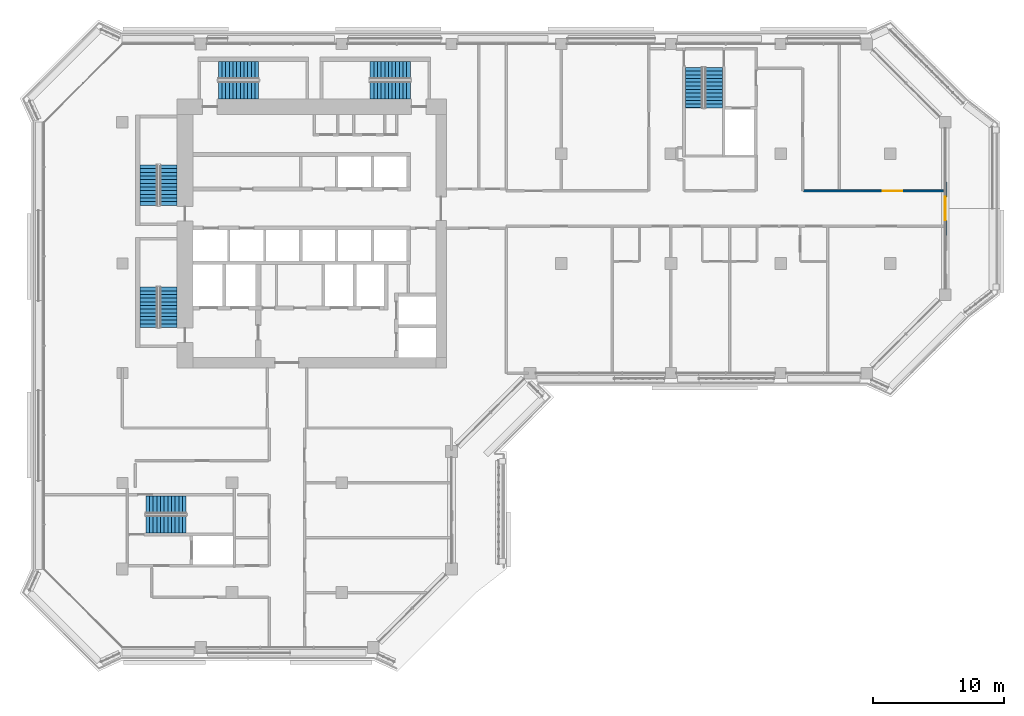
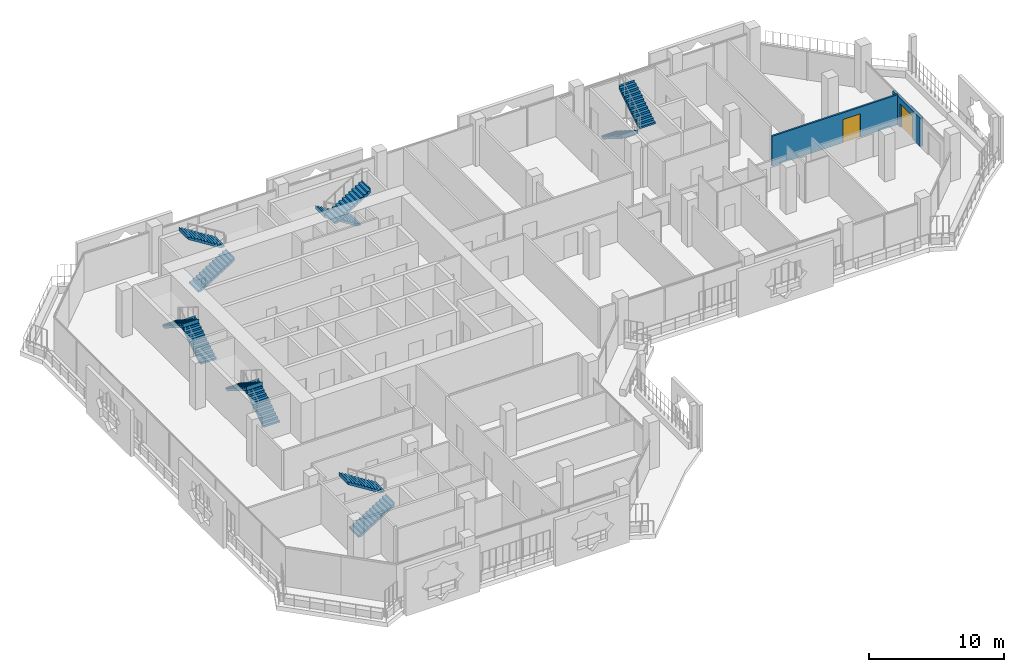
# One storey, part 14 of 22: 12 stair flights, 2 doors, 2 walls, 2 openings, 6 elements without a shape of their own.
"""IFC4 building model written with IfcOpenShell, lengths in metres."""

from ifc_helpers import new_model, si_unit, direction, frame, frame_2d, origin, place, context, subcontext, project, spatial, polyline, rectangle, outline, extrude, material, layer, layer_set, type_object, element, fill, aggregate, save


model = new_model("IFC4")

# Units and contexts
model_context = context("Model", 3, precision=1e-05, world=origin(), true_north=direction((0.0, 1.0)))
body_context = subcontext(model_context, "Body", "Model", "MODEL_VIEW")
ifc_project = project(units=[si_unit("LENGTHUNIT", "METRE"), si_unit("AREAUNIT", "SQUARE_METRE"), si_unit("VOLUMEUNIT", "CUBIC_METRE"), si_unit("PLANEANGLEUNIT", "RADIAN"), si_unit("MASSUNIT", "GRAM", prefix="KILO")], contexts=[model_context])

# Site, building, storey
site_placement = place(None, origin())
site = spatial("IfcSite", under=ifc_project, at=site_placement, CompositionType="ELEMENT")
building_placement = place(site_placement, origin())
building = spatial("IfcBuilding", under=site, at=building_placement, Name="Kawkab Arch Medical Tower", CompositionType="ELEMENT")
storey_placement = place(building_placement, frame((0.0, 0.0, 255.800048828125)))
storey = spatial("IfcBuildingStorey", under=building, at=storey_placement, Name="L59", CompositionType="ELEMENT", Elevation=255.800048828125)

# Wall, opening, door
ifc_material_1 = material(Name="Bronze clad insulated wall panel")
ifc_layer_1 = layer(ifc_material_1, 0.25)
ifc_layer_set_1 = layer_set([ifc_layer_1], Name="Bronze clad insulated wall panel")
wall_type_1 = type_object("IfcWallType", Name="External wall bay 250", PredefinedType="SOLIDWALL", material=ifc_layer_set_1)
wall_1_placement = place(storey_placement, frame((63.0, -14.64990234375, 0.0), z_axis=(0.0, 0.0, 1.0), x_axis=(0.0, 1.0, 0.0)))
wall_1 = element("IfcWall", 1, at=wall_1_placement, inside=storey, type_object=wall_type_1, Name="External wall bay L59.R09.1.2", PredefinedType="SOLIDWALL", context=body_context, shape_type="SweptSolid", body=[
    extrude(rectangle(XDim=4.099853515625, YDim=0.25, at=frame_2d((2.0498046875, 0.0))), origin(), (0.0, 0.0, 1.0), 2.579833984375),
])
opening_1_placement = place(wall_1_placement, frame((1.14990234375, 0.0, 0.0)))
opening_1 = element("IfcOpeningElement", 2, at=opening_1_placement, cuts=wall_1, Name="Opening W54-702", PredefinedType="OPENING", context=body_context, shape_type="SweptSolid", body=[
    extrude(rectangle(XDim=1.800048828125, YDim=2.10009765625, at=frame_2d((0.89990234375, 1.050048828125))), frame((0.0, 0.135009765625, 0.0), z_axis=(0.0, -1.0, 0.0), x_axis=(1.0, 0.0, 0.0)), (0.0, 0.0, 1.0), 0.27001953125),
])
ifc_material_2 = material(Name="Bronze anodised aluminium door with tinted glass", Category="aluminium")
door_type_1 = type_object("IfcDoorType", Name="Double external door 1800 x 2100", OperationType="DOUBLE_DOOR_SINGLE_SWING", PredefinedType="DOOR", material=ifc_material_2)
door_1_placement = place(opening_1_placement, origin())
door_1 = element("IfcDoor", 3, at=door_1_placement, inside=storey, type_object=door_type_1, Name="External door L59.R09.1.2", OperationType="DOUBLE_DOOR_SINGLE_SWING", OverallHeight=2.10009765625, OverallWidth=1.800048828125, PredefinedType="DOOR", context=body_context, shape_type="SweptSolid", body=[
    extrude(rectangle(XDim=1.800048828125, YDim=2.10009765625, at=frame_2d((0.89990234375, 1.050048828125))), frame((0.0, 0.02490234375, 0.0), z_axis=(0.0, -1.0, 0.0), x_axis=(1.0, 0.0, 0.0)), (0.0, 0.0, 1.0), 0.050048828125),
])
fill(opening_1, door_1)

ifc_material_3 = material(Name="Gypsum board partition on steel studs, mineral wool", Category="steel")
ifc_layer_2 = layer(ifc_material_3, 0.14990234375)
ifc_layer_set_2 = layer_set([ifc_layer_2], Name="Gypsum board partition on steel studs, mineral wool")
wall_type_2 = type_object("IfcWallType", Name="Partition 150", PredefinedType="PARTITIONING", material=ifc_layer_set_2)
wall_2_placement = place(storey_placement, frame((52.16796875, -11.25, 0.0), z_axis=(0.0, 0.0, 1.0), x_axis=(1.0, 0.0, 0.0)))
wall_2 = element("IfcWall", 4, at=wall_2_placement, inside=storey, type_object=wall_type_2, Name="Partition 150 w024", PredefinedType="PARTITIONING", context=body_context, shape_type="SweptSolid", body=[
    extrude(rectangle(XDim=10.751953125, YDim=0.14990234375, at=frame_2d((5.3759765625, 0.0))), origin(), (0.0, 0.0, 1.0), 2.699951171875),
])
opening_2_placement = place(wall_2_placement, frame((6.031982421875, 0.0, 0.0)))
opening_2 = element("IfcOpeningElement", 5, at=opening_2_placement, cuts=wall_2, Name="Opening W54-002", PredefinedType="OPENING", context=body_context, shape_type="SweptSolid", body=[
    extrude(rectangle(XDim=1.5, YDim=2.10009765625, at=frame_2d((0.75, 1.050048828125))), frame((0.0, 0.0849609375, 0.0), z_axis=(0.0, -1.0, 0.0), x_axis=(1.0, 0.0, 0.0)), (0.0, 0.0, 1.0), 0.169921875),
])
ifc_material_4 = material(Name="Hollow metal door leaf")
door_type_2 = type_object("IfcDoorType", Name="Double door 1500x2100 FD30S", OperationType="NOTDEFINED", PredefinedType="DOOR", material=ifc_material_4)
door_2_placement = place(opening_2_placement, origin())
door_2 = element("IfcDoor", 6, at=door_2_placement, inside=storey, type_object=door_type_2, Name="Door W54-002", OperationType="DOUBLE_DOOR_SINGLE_SWING", OverallHeight=2.10009765625, OverallWidth=1.5, PredefinedType="DOOR", context=body_context, shape_type="SweptSolid", body=[
    extrude(rectangle(XDim=1.5, YDim=2.10009765625, at=frame_2d((0.75, 1.050048828125))), frame((0.0, 0.02490234375, 0.0), z_axis=(0.0, -1.0, 0.0), x_axis=(1.0, 0.0, 0.0)), (0.0, 0.0, 1.0), 0.050048828125),
])
fill(opening_2, door_2)

# Stair, stair flights
ifc_material_5 = material(Name="Concrete C40/50", Category="concrete")
stair_type = type_object("IfcStairType", Name="Exit stair 1350", PredefinedType="HALF_TURN_STAIR", material=ifc_material_5)
placement = place(storey_placement, origin())
stair_1 = element("IfcStair", 7, at=placement, inside=storey, type_object=stair_type, Name="L59 Exit stair ST1", PredefinedType="HALF_TURN_STAIR")
ifc_material_6 = material(Name="Concrete C40/50", Category="concrete")
stair_flight_type = type_object("IfcStairFlightType", Name="Exit stair flight 1350", PredefinedType="STRAIGHT", material=ifc_material_6)
stair_flight_1_placement = place(storey_placement, frame((3.52490234375, -12.35009765625, 0.0), z_axis=(0.0, 0.0, 1.0), x_axis=(0.0, 1.0, 0.0)))
stair_flight_1 = element("IfcStairFlight", 8, at=stair_flight_1_placement, type_object=stair_flight_type, Name="ST1 flight 1", NumberOfRisers=12, NumberOfTreads=11, PredefinedType="STRAIGHT", RiserHeight=0.175, TreadLength=0.28, context=body_context, shape_type="SweptSolid", body=[
    extrude(outline(polyline([(-0.0029296875, 0.0), (-0.0029296875, 0.175048828125), (0.0, 0.175048828125), (0.280029296875, 0.175048828125), (0.280029296875, 0.35009765625), (0.56005859375, 0.35009765625), (0.56005859375, 0.52490234375), (0.840087890625, 0.52490234375), (0.840087890625, 0.699951171875), (1.1201171875, 0.699951171875), (1.1201171875, 0.875), (1.39990234375, 0.875), (1.39990234375, 1.050048828125), (1.679931640625, 1.050048828125), (1.679931640625, 1.22509765625), (1.9599609375, 1.22509765625), (1.9599609375, 1.39990234375), (2.239990234375, 1.39990234375), (2.239990234375, 1.574951171875), (2.52001953125, 1.574951171875), (2.52001953125, 1.75), (2.800048828125, 1.75), (2.800048828125, 1.925048828125), (3.080078125, 1.925048828125), (3.080078125, 2.10009765625), (3.0830078125, 2.10009765625), (3.0830078125, 1.748291015625), (3.080078125, 1.748291015625), (0.28271484375, 0.0), (-0.0029296875, 0.0)])), frame((0.0, 0.675048828125, 0.0), z_axis=(0.0, -1.0, 0.0), x_axis=(1.0, 0.0, 0.0)), (0.0, 0.0, 1.0), 1.35009765625),
])
stair_flight_2_placement = place(storey_placement, frame((2.02490234375, -9.27001953125, 2.099853515625), z_axis=(0.0, 0.0, 1.0), x_axis=(0.0, -1.0, 0.0)))
stair_flight_2 = element("IfcStairFlight", 9, at=stair_flight_2_placement, type_object=stair_flight_type, Name="ST1 flight 2", NumberOfRisers=12, NumberOfTreads=11, PredefinedType="STRAIGHT", RiserHeight=0.175, TreadLength=0.28, context=body_context, shape_type="SweptSolid", body=[
    extrude(outline(polyline([(-0.0029296875, 0.0), (-0.0029296875, 0.175048828125), (0.0, 0.175048828125), (0.280029296875, 0.175048828125), (0.280029296875, 0.35009765625), (0.56005859375, 0.35009765625), (0.56005859375, 0.52490234375), (0.840087890625, 0.52490234375), (0.840087890625, 0.699951171875), (1.1201171875, 0.699951171875), (1.1201171875, 0.875), (1.39990234375, 0.875), (1.39990234375, 1.050048828125), (1.679931640625, 1.050048828125), (1.679931640625, 1.22509765625), (1.9599609375, 1.22509765625), (1.9599609375, 1.39990234375), (2.239990234375, 1.39990234375), (2.239990234375, 1.574951171875), (2.52001953125, 1.574951171875), (2.52001953125, 1.75), (2.800048828125, 1.75), (2.800048828125, 1.925048828125), (3.080078125, 1.925048828125), (3.080078125, 2.10009765625), (3.0830078125, 2.10009765625), (3.0830078125, 1.748291015625), (3.080078125, 1.748291015625), (0.28271484375, 0.0), (-0.0029296875, 0.0)])), frame((0.0, 0.675048828125, 0.0), z_axis=(0.0, -1.0, 0.0), x_axis=(1.0, 0.0, 0.0)), (0.0, 0.0, 1.0), 1.35009765625),
])
aggregate(stair_1, [stair_flight_1, stair_flight_2])

stair_2 = element("IfcStair", 10, at=placement, inside=storey, type_object=stair_type, Name="L59 Exit stair ST2", PredefinedType="HALF_TURN_STAIR")
stair_flight_3_placement = place(storey_placement, frame((3.52490234375, -21.699951171875, 0.0), z_axis=(0.0, 0.0, 1.0), x_axis=(0.0, 1.0, 0.0)))
stair_flight_3 = element("IfcStairFlight", 11, at=stair_flight_3_placement, type_object=stair_flight_type, Name="ST2 flight 1", NumberOfRisers=12, NumberOfTreads=11, PredefinedType="STRAIGHT", RiserHeight=0.175, TreadLength=0.28, context=body_context, shape_type="SweptSolid", body=[
    extrude(outline(polyline([(-0.0029296875, 0.0), (-0.0029296875, 0.175048828125), (0.0, 0.175048828125), (0.280029296875, 0.175048828125), (0.280029296875, 0.35009765625), (0.56005859375, 0.35009765625), (0.56005859375, 0.52490234375), (0.840087890625, 0.52490234375), (0.840087890625, 0.699951171875), (1.1201171875, 0.699951171875), (1.1201171875, 0.875), (1.39990234375, 0.875), (1.39990234375, 1.050048828125), (1.679931640625, 1.050048828125), (1.679931640625, 1.22509765625), (1.9599609375, 1.22509765625), (1.9599609375, 1.39990234375), (2.239990234375, 1.39990234375), (2.239990234375, 1.574951171875), (2.52001953125, 1.574951171875), (2.52001953125, 1.75), (2.800048828125, 1.75), (2.800048828125, 1.925048828125), (3.080078125, 1.925048828125), (3.080078125, 2.10009765625), (3.0830078125, 2.10009765625), (3.0830078125, 1.748291015625), (3.080078125, 1.748291015625), (0.28271484375, 0.0), (-0.0029296875, 0.0)])), frame((0.0, 0.675048828125, 0.0), z_axis=(0.0, -1.0, 0.0), x_axis=(1.0, 0.0, 0.0)), (0.0, 0.0, 1.0), 1.35009765625),
])
stair_flight_4_placement = place(storey_placement, frame((2.02490234375, -18.6201171875, 2.099853515625), z_axis=(0.0, 0.0, 1.0), x_axis=(0.0, -1.0, 0.0)))
stair_flight_4 = element("IfcStairFlight", 12, at=stair_flight_4_placement, type_object=stair_flight_type, Name="ST2 flight 2", NumberOfRisers=12, NumberOfTreads=11, PredefinedType="STRAIGHT", RiserHeight=0.175, TreadLength=0.28, context=body_context, shape_type="SweptSolid", body=[
    extrude(outline(polyline([(-0.0029296875, 0.0), (-0.0029296875, 0.175048828125), (0.0, 0.175048828125), (0.280029296875, 0.175048828125), (0.280029296875, 0.35009765625), (0.56005859375, 0.35009765625), (0.56005859375, 0.52490234375), (0.840087890625, 0.52490234375), (0.840087890625, 0.699951171875), (1.1201171875, 0.699951171875), (1.1201171875, 0.875), (1.39990234375, 0.875), (1.39990234375, 1.050048828125), (1.679931640625, 1.050048828125), (1.679931640625, 1.22509765625), (1.9599609375, 1.22509765625), (1.9599609375, 1.39990234375), (2.239990234375, 1.39990234375), (2.239990234375, 1.574951171875), (2.52001953125, 1.574951171875), (2.52001953125, 1.75), (2.800048828125, 1.75), (2.800048828125, 1.925048828125), (3.080078125, 1.925048828125), (3.080078125, 2.10009765625), (3.0830078125, 2.10009765625), (3.0830078125, 1.748291015625), (3.080078125, 1.748291015625), (0.28271484375, 0.0), (-0.0029296875, 0.0)])), frame((0.0, 0.675048828125, 0.0), z_axis=(0.0, -1.0, 0.0), x_axis=(1.0, 0.0, 0.0)), (0.0, 0.0, 1.0), 1.35009765625),
])
aggregate(stair_2, [stair_flight_3, stair_flight_4])

stair_3 = element("IfcStair", 13, at=placement, inside=storey, type_object=stair_type, Name="L59 Exit stair ST3", PredefinedType="HALF_TURN_STAIR")
stair_flight_5_placement = place(storey_placement, frame((7.35009765625, -3.52490234375, 0.0), z_axis=(0.0, 0.0, 1.0), x_axis=(1.0, 0.0, 0.0)))
stair_flight_5 = element("IfcStairFlight", 14, at=stair_flight_5_placement, type_object=stair_flight_type, Name="ST3 flight 1", NumberOfRisers=12, NumberOfTreads=11, PredefinedType="STRAIGHT", RiserHeight=0.175, TreadLength=0.28, context=body_context, shape_type="SweptSolid", body=[
    extrude(outline(polyline([(-0.0029296875, 0.0), (-0.0029296875, 0.175048828125), (0.0, 0.175048828125), (0.280029296875, 0.175048828125), (0.280029296875, 0.35009765625), (0.56005859375, 0.35009765625), (0.56005859375, 0.52490234375), (0.840087890625, 0.52490234375), (0.840087890625, 0.699951171875), (1.1201171875, 0.699951171875), (1.1201171875, 0.875), (1.39990234375, 0.875), (1.39990234375, 1.050048828125), (1.679931640625, 1.050048828125), (1.679931640625, 1.22509765625), (1.9599609375, 1.22509765625), (1.9599609375, 1.39990234375), (2.239990234375, 1.39990234375), (2.239990234375, 1.574951171875), (2.52001953125, 1.574951171875), (2.52001953125, 1.75), (2.800048828125, 1.75), (2.800048828125, 1.925048828125), (3.080078125, 1.925048828125), (3.080078125, 2.10009765625), (3.0830078125, 2.10009765625), (3.0830078125, 1.748291015625), (3.080078125, 1.748291015625), (0.28271484375, 0.0), (-0.0029296875, 0.0)])), frame((0.0, 0.675048828125, 0.0), z_axis=(0.0, -1.0, 0.0), x_axis=(1.0, 0.0, 0.0)), (0.0, 0.0, 1.0), 1.35009765625),
])
stair_flight_6_placement = place(storey_placement, frame((10.429931640625, -2.02490234375, 2.099853515625), z_axis=(0.0, 0.0, 1.0), x_axis=(-1.0, 0.0, 0.0)))
stair_flight_6 = element("IfcStairFlight", 15, at=stair_flight_6_placement, type_object=stair_flight_type, Name="ST3 flight 2", NumberOfRisers=12, NumberOfTreads=11, PredefinedType="STRAIGHT", RiserHeight=0.175, TreadLength=0.28, context=body_context, shape_type="SweptSolid", body=[
    extrude(outline(polyline([(-0.0029296875, 0.0), (-0.0029296875, 0.175048828125), (0.0, 0.175048828125), (0.280029296875, 0.175048828125), (0.280029296875, 0.35009765625), (0.56005859375, 0.35009765625), (0.56005859375, 0.52490234375), (0.840087890625, 0.52490234375), (0.840087890625, 0.699951171875), (1.1201171875, 0.699951171875), (1.1201171875, 0.875), (1.39990234375, 0.875), (1.39990234375, 1.050048828125), (1.679931640625, 1.050048828125), (1.679931640625, 1.22509765625), (1.9599609375, 1.22509765625), (1.9599609375, 1.39990234375), (2.239990234375, 1.39990234375), (2.239990234375, 1.574951171875), (2.52001953125, 1.574951171875), (2.52001953125, 1.75), (2.800048828125, 1.75), (2.800048828125, 1.925048828125), (3.080078125, 1.925048828125), (3.080078125, 2.10009765625), (3.0830078125, 2.10009765625), (3.0830078125, 1.748291015625), (3.080078125, 1.748291015625), (0.28271484375, 0.0), (-0.0029296875, 0.0)])), frame((0.0, 0.675048828125, 0.0), z_axis=(0.0, -1.0, 0.0), x_axis=(1.0, 0.0, 0.0)), (0.0, 0.0, 1.0), 1.35009765625),
])
aggregate(stair_3, [stair_flight_5, stair_flight_6])

stair_4 = element("IfcStair", 16, at=placement, inside=storey, type_object=stair_type, Name="L59 Exit stair ST4", PredefinedType="HALF_TURN_STAIR")
stair_flight_7_placement = place(storey_placement, frame((22.050048828125, -2.02490234375, 0.0), z_axis=(0.0, 0.0, 1.0), x_axis=(-1.0, 0.0, 0.0)))
stair_flight_7 = element("IfcStairFlight", 17, at=stair_flight_7_placement, type_object=stair_flight_type, Name="ST4 flight 1", NumberOfRisers=12, NumberOfTreads=11, PredefinedType="STRAIGHT", RiserHeight=0.175, TreadLength=0.28, context=body_context, shape_type="SweptSolid", body=[
    extrude(outline(polyline([(-0.0029296875, 0.0), (-0.0029296875, 0.175048828125), (0.0, 0.175048828125), (0.280029296875, 0.175048828125), (0.280029296875, 0.35009765625), (0.56005859375, 0.35009765625), (0.56005859375, 0.52490234375), (0.840087890625, 0.52490234375), (0.840087890625, 0.699951171875), (1.1201171875, 0.699951171875), (1.1201171875, 0.875), (1.39990234375, 0.875), (1.39990234375, 1.050048828125), (1.679931640625, 1.050048828125), (1.679931640625, 1.22509765625), (1.9599609375, 1.22509765625), (1.9599609375, 1.39990234375), (2.239990234375, 1.39990234375), (2.239990234375, 1.574951171875), (2.52001953125, 1.574951171875), (2.52001953125, 1.75), (2.800048828125, 1.75), (2.800048828125, 1.925048828125), (3.080078125, 1.925048828125), (3.080078125, 2.10009765625), (3.0830078125, 2.10009765625), (3.0830078125, 1.748291015625), (3.080078125, 1.748291015625), (0.28271484375, 0.0), (-0.0029296875, 0.0)])), frame((0.0, 0.675048828125, 0.0), z_axis=(0.0, -1.0, 0.0), x_axis=(1.0, 0.0, 0.0)), (0.0, 0.0, 1.0), 1.35009765625),
])
stair_flight_8_placement = place(storey_placement, frame((18.969970703125, -3.52490234375, 2.099853515625), z_axis=(0.0, 0.0, 1.0), x_axis=(1.0, 0.0, 0.0)))
stair_flight_8 = element("IfcStairFlight", 18, at=stair_flight_8_placement, type_object=stair_flight_type, Name="ST4 flight 2", NumberOfRisers=12, NumberOfTreads=11, PredefinedType="STRAIGHT", RiserHeight=0.175, TreadLength=0.28, context=body_context, shape_type="SweptSolid", body=[
    extrude(outline(polyline([(-0.0029296875, 0.0), (-0.0029296875, 0.175048828125), (0.0, 0.175048828125), (0.280029296875, 0.175048828125), (0.280029296875, 0.35009765625), (0.56005859375, 0.35009765625), (0.56005859375, 0.52490234375), (0.840087890625, 0.52490234375), (0.840087890625, 0.699951171875), (1.1201171875, 0.699951171875), (1.1201171875, 0.875), (1.39990234375, 0.875), (1.39990234375, 1.050048828125), (1.679931640625, 1.050048828125), (1.679931640625, 1.22509765625), (1.9599609375, 1.22509765625), (1.9599609375, 1.39990234375), (2.239990234375, 1.39990234375), (2.239990234375, 1.574951171875), (2.52001953125, 1.574951171875), (2.52001953125, 1.75), (2.800048828125, 1.75), (2.800048828125, 1.925048828125), (3.080078125, 1.925048828125), (3.080078125, 2.10009765625), (3.0830078125, 2.10009765625), (3.0830078125, 1.748291015625), (3.080078125, 1.748291015625), (0.28271484375, 0.0), (-0.0029296875, 0.0)])), frame((0.0, 0.675048828125, 0.0), z_axis=(0.0, -1.0, 0.0), x_axis=(1.0, 0.0, 0.0)), (0.0, 0.0, 1.0), 1.35009765625),
])
aggregate(stair_4, [stair_flight_7, stair_flight_8])

stair_5 = element("IfcStair", 19, at=placement, inside=storey, type_object=stair_type, Name="L59 Exit stair ST5", PredefinedType="HALF_TURN_STAIR")
stair_flight_9_placement = place(storey_placement, frame((43.77490234375, -1.800048828125, 0.0), z_axis=(0.0, 0.0, 1.0), x_axis=(0.0, -1.0, 0.0)))
stair_flight_9 = element("IfcStairFlight", 20, at=stair_flight_9_placement, type_object=stair_flight_type, Name="ST5 flight 1", NumberOfRisers=12, NumberOfTreads=11, PredefinedType="STRAIGHT", RiserHeight=0.175, TreadLength=0.28, context=body_context, shape_type="SweptSolid", body=[
    extrude(outline(polyline([(-0.0029296875, 0.0), (-0.0029296875, 0.175048828125), (0.0, 0.175048828125), (0.280029296875, 0.175048828125), (0.280029296875, 0.35009765625), (0.56005859375, 0.35009765625), (0.56005859375, 0.52490234375), (0.840087890625, 0.52490234375), (0.840087890625, 0.699951171875), (1.1201171875, 0.699951171875), (1.1201171875, 0.875), (1.39990234375, 0.875), (1.39990234375, 1.050048828125), (1.679931640625, 1.050048828125), (1.679931640625, 1.22509765625), (1.9599609375, 1.22509765625), (1.9599609375, 1.39990234375), (2.239990234375, 1.39990234375), (2.239990234375, 1.574951171875), (2.52001953125, 1.574951171875), (2.52001953125, 1.75), (2.800048828125, 1.75), (2.800048828125, 1.925048828125), (3.080078125, 1.925048828125), (3.080078125, 2.10009765625), (3.0830078125, 2.10009765625), (3.0830078125, 1.748291015625), (3.080078125, 1.748291015625), (0.28271484375, 0.0), (-0.0029296875, 0.0)])), frame((0.0, 0.675048828125, 0.0), z_axis=(0.0, -1.0, 0.0), x_axis=(1.0, 0.0, 0.0)), (0.0, 0.0, 1.0), 1.35009765625),
])
stair_flight_10_placement = place(storey_placement, frame((45.27490234375, -4.8798828125, 2.099853515625), z_axis=(0.0, 0.0, 1.0), x_axis=(0.0, 1.0, 0.0)))
stair_flight_10 = element("IfcStairFlight", 21, at=stair_flight_10_placement, type_object=stair_flight_type, Name="ST5 flight 2", NumberOfRisers=12, NumberOfTreads=11, PredefinedType="STRAIGHT", RiserHeight=0.175, TreadLength=0.28, context=body_context, shape_type="SweptSolid", body=[
    extrude(outline(polyline([(-0.0029296875, 0.0), (-0.0029296875, 0.175048828125), (0.0, 0.175048828125), (0.280029296875, 0.175048828125), (0.280029296875, 0.35009765625), (0.56005859375, 0.35009765625), (0.56005859375, 0.52490234375), (0.840087890625, 0.52490234375), (0.840087890625, 0.699951171875), (1.1201171875, 0.699951171875), (1.1201171875, 0.875), (1.39990234375, 0.875), (1.39990234375, 1.050048828125), (1.679931640625, 1.050048828125), (1.679931640625, 1.22509765625), (1.9599609375, 1.22509765625), (1.9599609375, 1.39990234375), (2.239990234375, 1.39990234375), (2.239990234375, 1.574951171875), (2.52001953125, 1.574951171875), (2.52001953125, 1.75), (2.800048828125, 1.75), (2.800048828125, 1.925048828125), (3.080078125, 1.925048828125), (3.080078125, 2.10009765625), (3.0830078125, 2.10009765625), (3.0830078125, 1.748291015625), (3.080078125, 1.748291015625), (0.28271484375, 0.0), (-0.0029296875, 0.0)])), frame((0.0, 0.675048828125, 0.0), z_axis=(0.0, -1.0, 0.0), x_axis=(1.0, 0.0, 0.0)), (0.0, 0.0, 1.0), 1.35009765625),
])
aggregate(stair_5, [stair_flight_9, stair_flight_10])

stair_6 = element("IfcStair", 22, at=placement, inside=storey, type_object=stair_type, Name="L59 Exit stair ST6", PredefinedType="HALF_TURN_STAIR")
stair_flight_11_placement = place(storey_placement, frame((1.800048828125, -36.77490234375, 0.0), z_axis=(0.0, 0.0, 1.0), x_axis=(1.0, 0.0, 0.0)))
stair_flight_11 = element("IfcStairFlight", 23, at=stair_flight_11_placement, type_object=stair_flight_type, Name="ST6 flight 1", NumberOfRisers=12, NumberOfTreads=11, PredefinedType="STRAIGHT", RiserHeight=0.175, TreadLength=0.28, context=body_context, shape_type="SweptSolid", body=[
    extrude(outline(polyline([(-0.0029296875, 0.0), (-0.0029296875, 0.175048828125), (0.0, 0.175048828125), (0.280029296875, 0.175048828125), (0.280029296875, 0.35009765625), (0.56005859375, 0.35009765625), (0.56005859375, 0.52490234375), (0.840087890625, 0.52490234375), (0.840087890625, 0.699951171875), (1.1201171875, 0.699951171875), (1.1201171875, 0.875), (1.39990234375, 0.875), (1.39990234375, 1.050048828125), (1.679931640625, 1.050048828125), (1.679931640625, 1.22509765625), (1.9599609375, 1.22509765625), (1.9599609375, 1.39990234375), (2.239990234375, 1.39990234375), (2.239990234375, 1.574951171875), (2.52001953125, 1.574951171875), (2.52001953125, 1.75), (2.800048828125, 1.75), (2.800048828125, 1.925048828125), (3.080078125, 1.925048828125), (3.080078125, 2.10009765625), (3.0830078125, 2.10009765625), (3.0830078125, 1.748291015625), (3.080078125, 1.748291015625), (0.28271484375, 0.0), (-0.0029296875, 0.0)])), frame((0.0, 0.675048828125, 0.0), z_axis=(0.0, -1.0, 0.0), x_axis=(1.0, 0.0, 0.0)), (0.0, 0.0, 1.0), 1.35009765625),
])
stair_flight_12_placement = place(storey_placement, frame((4.8798828125, -35.27490234375, 2.099853515625), z_axis=(0.0, 0.0, 1.0), x_axis=(-1.0, 0.0, 0.0)))
stair_flight_12 = element("IfcStairFlight", 24, at=stair_flight_12_placement, type_object=stair_flight_type, Name="ST6 flight 2", NumberOfRisers=12, NumberOfTreads=11, PredefinedType="STRAIGHT", RiserHeight=0.175, TreadLength=0.28, context=body_context, shape_type="SweptSolid", body=[
    extrude(outline(polyline([(-0.0029296875, 0.0), (-0.0029296875, 0.175048828125), (0.0, 0.175048828125), (0.280029296875, 0.175048828125), (0.280029296875, 0.35009765625), (0.56005859375, 0.35009765625), (0.56005859375, 0.52490234375), (0.840087890625, 0.52490234375), (0.840087890625, 0.699951171875), (1.1201171875, 0.699951171875), (1.1201171875, 0.875), (1.39990234375, 0.875), (1.39990234375, 1.050048828125), (1.679931640625, 1.050048828125), (1.679931640625, 1.22509765625), (1.9599609375, 1.22509765625), (1.9599609375, 1.39990234375), (2.239990234375, 1.39990234375), (2.239990234375, 1.574951171875), (2.52001953125, 1.574951171875), (2.52001953125, 1.75), (2.800048828125, 1.75), (2.800048828125, 1.925048828125), (3.080078125, 1.925048828125), (3.080078125, 2.10009765625), (3.0830078125, 2.10009765625), (3.0830078125, 1.748291015625), (3.080078125, 1.748291015625), (0.28271484375, 0.0), (-0.0029296875, 0.0)])), frame((0.0, 0.675048828125, 0.0), z_axis=(0.0, -1.0, 0.0), x_axis=(1.0, 0.0, 0.0)), (0.0, 0.0, 1.0), 1.35009765625),
])
aggregate(stair_6, [stair_flight_11, stair_flight_12])

save(model, "model.ifc")
